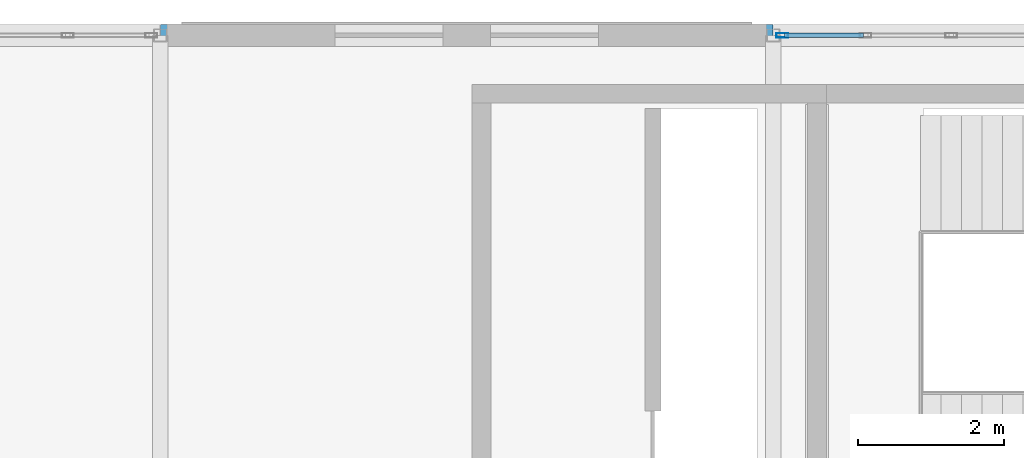
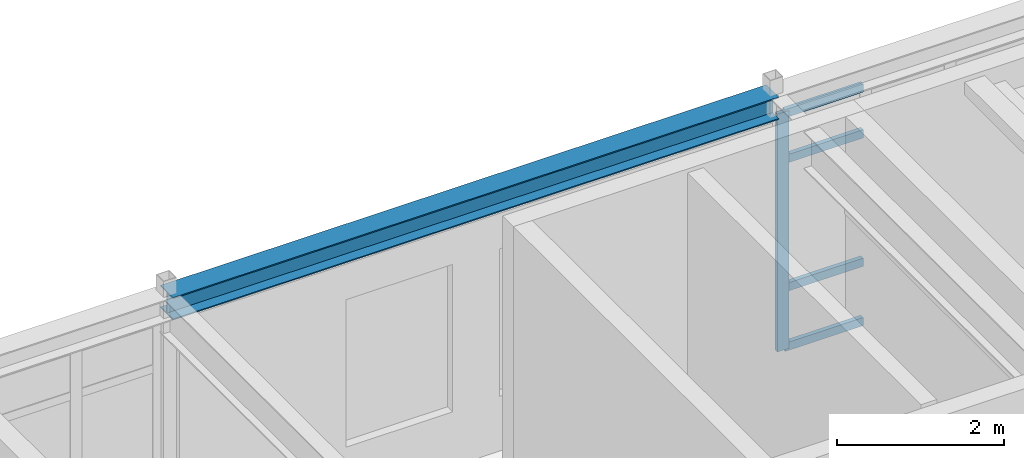
# One storey, part 22 of 65: 5 members, 1 beam, 1 element without a shape of its own.
"""IFC4 building model written with IfcOpenShell, lengths in metres."""

import ifcopenshell
import ifcopenshell.guid

model = None  # the IFC model being written
_history = None  # IfcOwnerHistory: only IFC2X3 demands one
_inside = {}  # id of a spatial element -> (the spatial element, [elements in it])
_under = {}  # id of a project, library or spatial element -> (it, [spatial elements below it])
_declared = {}  # id of a project -> (the project, [libraries it declares])
_typed = {}  # id of a type object -> (the type object, [elements of that type])
_made_of = {}  # id of a material, layer set ... -> (it, [elements and type objects made of it])


def new_model(schema):
    """Start an empty IFC model of exactly this schema.

    Asked for "IFC4X3", IfcOpenShell would pick the latest addendum, in which some entities
    have other attributes; the version numbers below select the first issue.
    IFC2X3 requires an IfcOwnerHistory on every rooted entity: one is made here for all.
    """
    global model, _history
    if schema == "IFC4X3":
        model = ifcopenshell.file(schema_version=(4, 3, 0, 0))
    else:
        model = ifcopenshell.file(schema=schema)
    _inside.clear()
    _under.clear()
    _declared.clear()
    _typed.clear()
    _made_of.clear()
    _history = None
    if model.schema == "IFC2X3":
        org = make("IfcOrganization", Name="unknown")
        user = make(
            "IfcPersonAndOrganization",
            ThePerson=make("IfcPerson", FamilyName="unknown"),
            TheOrganization=org,
        )
        app = make(
            "IfcApplication",
            ApplicationDeveloper=org,
            Version="unknown",
            ApplicationFullName="unknown",
            ApplicationIdentifier="unknown",
        )
        _history = make(
            "IfcOwnerHistory",
            OwningUser=user,
            OwningApplication=app,
            ChangeAction="ADDED",
            CreationDate=0,
        )
    return model


def make(cls, **values):
    """One entity of the class cls with the attributes given. An attribute that is None is left unset."""
    return model.create_entity(
        cls, **{name: value for name, value in values.items() if value is not None}
    )


def rooted(cls, **values):
    """An entity with a GlobalId (a new one), such as an element, a storey or a relation."""
    return make(cls, GlobalId=ifcopenshell.guid.new(), OwnerHistory=_history, **values)


def si_unit(unit_type, name, prefix=None):
    """IfcSIUnit, for example si_unit("LENGTHUNIT", "METRE", prefix="MILLI")."""
    return make("IfcSIUnit", UnitType=unit_type, Prefix=prefix, Name=name)


def assignment(units):
    """IfcUnitAssignment: the units of a project."""
    return None if units is None else make("IfcUnitAssignment", Units=units)


def point(xyz):
    """IfcCartesianPoint."""
    return None if xyz is None else make("IfcCartesianPoint", Coordinates=xyz)


def direction(xyz):
    """IfcDirection."""
    return None if xyz is None else make("IfcDirection", DirectionRatios=xyz)


def frame(location, z_axis=None, x_axis=None):
    """IfcAxis2Placement3D, a coordinate frame: its origin and axes. An axis left out is left unset."""
    return make(
        "IfcAxis2Placement3D",
        Location=point(location),
        Axis=direction(z_axis),
        RefDirection=direction(x_axis),
    )


def frame_2d(location, x_axis=None):
    """IfcAxis2Placement2D, a coordinate frame in the plane: its origin and x axis."""
    return make(
        "IfcAxis2Placement2D", Location=point(location), RefDirection=direction(x_axis)
    )


def origin():
    """The frame at (0, 0, 0) with its axes left unset."""
    return frame((0.0, 0.0, 0.0))


def origin_2d():
    """The frame at (0, 0) in the plane with its x axis left unset."""
    return frame_2d((0.0, 0.0))


def place(relative_to, where):
    """IfcLocalPlacement: puts the frame where relative to a parent placement (None: the world)."""
    return make(
        "IfcLocalPlacement", PlacementRelTo=relative_to, RelativePlacement=where
    )


def context(
    kind, dimensions, precision=None, world=None, true_north=None, identifier=None
):
    """IfcGeometricRepresentationContext, for example the 3D "Model" context."""
    return make(
        "IfcGeometricRepresentationContext",
        ContextIdentifier=identifier,
        ContextType=kind,
        CoordinateSpaceDimension=dimensions,
        Precision=precision,
        WorldCoordinateSystem=world,
        TrueNorth=true_north,
    )


def subcontext(parent, identifier, kind, view, scale=None):
    """IfcGeometricRepresentationSubContext, for example "Body" below "Model"."""
    return make(
        "IfcGeometricRepresentationSubContext",
        ContextIdentifier=identifier,
        ContextType=kind,
        ParentContext=parent,
        TargetScale=scale,
        TargetView=view,
    )


def project(units=None, contexts=None):
    """IfcProject with its units and contexts."""
    return rooted(
        "IfcProject",
        Name="project",
        RepresentationContexts=contexts,
        UnitsInContext=assignment(units),
    )


def spatial(cls, under=None, at=None, **own):
    """A site, building, storey or space (cls), placed at a placement, below another one or the project."""
    s = rooted(cls, ObjectPlacement=at, **own)
    if under is not None:
        _under.setdefault(under.id(), (under, []))[1].append(s)
    return s


def profile(cls, at=None, kind="AREA", **sizes):
    """A parametric profile (cls). Its sizes go by their IFC names, for example OverallWidth=200.0."""
    return make(cls, ProfileType=kind, Position=at, **sizes)


def hollow_rectangle(**sizes):
    """IfcRectangleHollowProfileDef."""
    return profile("IfcRectangleHollowProfileDef", **sizes)


def i_section(**sizes):
    """IfcIShapeProfileDef."""
    return profile("IfcIShapeProfileDef", **sizes)


def extrude(swept, where, along, depth):
    """IfcExtrudedAreaSolid: the profile swept, set in the frame where, extruded along a direction by depth."""
    return make(
        "IfcExtrudedAreaSolid",
        SweptArea=swept,
        Position=where,
        ExtrudedDirection=direction(along),
        Depth=depth,
    )


def shape(context_of_items, identifier, shape_type, items):
    """IfcShapeRepresentation: the items that make up one representation, for example the "Body"."""
    return make(
        "IfcShapeRepresentation",
        ContextOfItems=context_of_items,
        RepresentationIdentifier=identifier,
        RepresentationType=shape_type,
        Items=items,
    )


def material(Name=None, Category=None):
    """IfcMaterial."""
    return make("IfcMaterial", Name=Name, Category=Category)


def layer(
    of_material, thickness, ventilated=None, Name=None, Category=None, Priority=None
):
    """IfcMaterialLayer: one layer of a wall or slab, of a material (None: an air gap)."""
    return make(
        "IfcMaterialLayer",
        Material=of_material,
        LayerThickness=thickness,
        IsVentilated=ventilated,
        Name=Name,
        Category=Category,
        Priority=Priority,
    )


def layer_set(layers, Name=None):
    """IfcMaterialLayerSet."""
    return make("IfcMaterialLayerSet", MaterialLayers=layers, LayerSetName=Name)


def material_profile(
    of_material, cross_section, Name=None, Category=None, Priority=None
):
    """IfcMaterialProfile: a cross section and its material."""
    return make(
        "IfcMaterialProfile",
        Name=Name,
        Material=of_material,
        Profile=cross_section,
        Priority=Priority,
        Category=Category,
    )


def profile_set(profiles, Name=None, composite=None):
    """IfcMaterialProfileSet."""
    return make(
        "IfcMaterialProfileSet",
        Name=Name,
        MaterialProfiles=profiles,
        CompositeProfile=composite,
    )


def made_of(thing, what):
    """Note that an element or type object is made of a material, layer set ...; save() writes the relation."""
    if what is not None:
        _made_of.setdefault(what.id(), (what, []))[1].append(thing)
    return thing


def type_object(cls, material=None, **own):
    """A type object (cls), such as IfcWallType, which elements share."""
    return made_of(rooted(cls, **own), material)


def element(
    cls,
    number,
    at=None,
    inside=None,
    cuts=None,
    type_object=None,
    material=None,
    context=None,
    identifier="Body",
    shape_type=None,
    held_by="IfcProductDefinitionShape",
    body=None,
    shapes=None,
    **own,
):
    """One element of the class cls, such as IfcWall. Its Tag is "e" and its number.

    at: its placement. inside: the storey or other place that contains it. cuts: it is an
    opening in that element (IfcRelVoidsElement). A single representation is given by context,
    identifier, shape_type and body (its items); several are given by shapes. held_by: the class
    of the entity that holds the representations. save() writes the other relations.
    """
    e = rooted(cls, Tag="e%d" % number, ObjectPlacement=at, **own)
    if body is not None:
        shapes = [shape(context, identifier, shape_type, body)]
    if shapes is not None:
        e.Representation = make(held_by, Representations=shapes)
    if inside is not None:
        _inside.setdefault(inside.id(), (inside, []))[1].append(e)
    if cuts is not None:
        rooted(
            "IfcRelVoidsElement", RelatingBuildingElement=cuts, RelatedOpeningElement=e
        )
    if type_object is not None:
        _typed.setdefault(type_object.id(), (type_object, []))[1].append(e)
    return made_of(e, material)


def aggregate(whole, parts):
    """IfcRelAggregates: a whole, such as a stair, and the parts it consists of."""
    return rooted("IfcRelAggregates", RelatingObject=whole, RelatedObjects=parts)


def save(model, path):
    """Write the relations noted so far, then the file.

    IfcRelAggregates (storeys below a building ...), IfcRelContainedInSpatialStructure (elements
    in a storey), IfcRelDefinesByType, IfcRelAssociatesMaterial and IfcRelDeclares: one each for
    every whole, place, type object, material and project.
    """
    for whole, parts in _under.values():
        aggregate(whole, parts)
    for where, things in _inside.values():
        rooted(
            "IfcRelContainedInSpatialStructure",
            RelatedElements=things,
            RelatingStructure=where,
        )
    for kind, things in _typed.values():
        rooted("IfcRelDefinesByType", RelatedObjects=things, RelatingType=kind)
    for what, things in _made_of.values():
        rooted("IfcRelAssociatesMaterial", RelatedObjects=things, RelatingMaterial=what)
    for by, libraries in _declared.values():
        rooted("IfcRelDeclares", RelatingContext=by, RelatedDefinitions=libraries)
    model.write(path)


model = new_model("IFC4")

# Units and contexts
model_context = context("Model", 3, precision=1e-05, world=origin(), true_north=direction((0.0, 1.0)))
body_context = subcontext(model_context, "Body", "Model", "MODEL_VIEW")
ifc_project = project(units=[si_unit("LENGTHUNIT", "METRE"), si_unit("AREAUNIT", "SQUARE_METRE"), si_unit("VOLUMEUNIT", "CUBIC_METRE"), si_unit("PLANEANGLEUNIT", "RADIAN"), si_unit("MASSUNIT", "GRAM", prefix="KILO")], contexts=[model_context])

# Site, building, storey
site_placement = place(None, origin())
site = spatial("IfcSite", under=ifc_project, at=site_placement, CompositionType="ELEMENT")
building_placement = place(site_placement, origin())
building = spatial("IfcBuilding", under=site, at=building_placement, Name="Montecoro Central Library", CompositionType="ELEMENT")
storey_placement = place(building_placement, frame((0.0, 0.0, 17.340087890625)))
storey = spatial("IfcBuildingStorey", under=building, at=storey_placement, Name="L04", CompositionType="ELEMENT", Elevation=17.340087890625)

# Beam
ifc_material_1 = material(Name="Steel S355", Category="steel")
ifc_material_profile_1 = material_profile(ifc_material_1, i_section(OverallWidth=0.300048828125, OverallDepth=0.330078125, WebThickness=0.009521484375, FlangeThickness=0.0166015625, at=origin_2d()), Name="HEA 340")
ifc_profile_set_1 = profile_set([ifc_material_profile_1], Name="Steel S355")
beam_type = type_object("IfcBeamType", Name="BM-SP-HEA340", PredefinedType="SPANDREL", material=ifc_profile_set_1)
beam_placement = place(storey_placement, frame((91.60498046875, 119.0, 3.659912109375), z_axis=(1.0, 0.0, 0.0), x_axis=(0.0, 1.0, 0.0)))
element("IfcBeam", 1, at=beam_placement, inside=storey, type_object=beam_type, Name="V2-L04-BX-1213-R", PredefinedType="SPANDREL", context=body_context, shape_type="SweptSolid", body=[
    extrude(i_section(OverallWidth=0.300048828125, OverallDepth=0.330078125, WebThickness=0.009521484375, FlangeThickness=0.0166015625, at=origin_2d()), origin(), (0.0, 0.0, 1.0), 8.39013671875),
])

# Curtain wall, members
ifc_material_2 = material(Name="Bronze-anodised aluminium and low-E glazing", Category="aluminium")
ifc_layer = layer(ifc_material_2, 0.159912109375)
ifc_layer_set = layer_set([ifc_layer], Name="Bronze-anodised aluminium and low-E glazing")
curtain_wall_type = type_object("IfcCurtainWallType", Name="CWT-022", PredefinedType="NOTDEFINED", material=ifc_layer_set)
curtain_wall_placement = place(storey_placement, origin())
curtain_wall = element("IfcCurtainWall", 2, at=curtain_wall_placement, inside=storey, type_object=curtain_wall_type, Name="V2-L04-CW-N4", PredefinedType="NOTDEFINED")
ifc_material_3 = material(Name="Bronze-anodised aluminium", Category="aluminium")
ifc_material_profile_2 = material_profile(ifc_material_3, hollow_rectangle(XDim=0.06005859375, YDim=0.159912109375, WallThickness=0.00390625, at=origin_2d()), Name="CWM 160x60x4.0")
ifc_profile_set_2 = profile_set([ifc_material_profile_2], Name="Bronze-anodised aluminium")
member_type_1 = type_object("IfcMemberType", Name="CWM-BRZ-60", PredefinedType="MULLION", material=ifc_profile_set_2)
member_1_placement = place(storey_placement, frame((100.123046875, 119.0, 0.0), z_axis=(0.0, 0.0, 1.0), x_axis=(0.0, -1.0, 0.0)))
member_1 = element("IfcMember", 3, at=member_1_placement, type_object=member_type_1, Name="CW-022 mullion 8", PredefinedType="MULLION", context=body_context, shape_type="SweptSolid", body=[
    extrude(hollow_rectangle(XDim=0.06005859375, YDim=0.159912109375, WallThickness=0.00390625, at=origin_2d()), origin(), (0.0, 0.0, 1.0), 3.47998046875),
])
ifc_material_profile_3 = material_profile(ifc_material_3, hollow_rectangle(XDim=0.06005859375, YDim=0.1201171875, WallThickness=0.00390625, at=origin_2d()), Name="CWT 120x60x4.0")
ifc_profile_set_3 = profile_set([ifc_material_profile_3], Name="Bronze-anodised aluminium")
member_type_2 = type_object("IfcMemberType", Name="CWT-BRZ-60", PredefinedType="USERDEFINED", material=ifc_profile_set_3)
member_2_placement = place(storey_placement, frame((101.236328125, 119.0, 0.030029296875), z_axis=(-1.0, 0.0, 0.0), x_axis=(0.0, -1.0, 0.0)))
member_2 = element("IfcMember", 4, at=member_2_placement, type_object=member_type_2, Name="CW-022 transom 7.1", ObjectType="TRANSOM", PredefinedType="USERDEFINED", context=body_context, shape_type="SweptSolid", body=[
    extrude(hollow_rectangle(XDim=0.06005859375, YDim=0.1201171875, WallThickness=0.00390625, at=origin_2d()), origin(), (0.0, 0.0, 1.0), 1.083251953125),
])
member_3_placement = place(storey_placement, frame((101.236328125, 119.0, 0.89990234375), z_axis=(-1.0, 0.0, 0.0), x_axis=(0.0, -1.0, 0.0)))
member_3 = element("IfcMember", 5, at=member_3_placement, type_object=member_type_2, Name="CW-022 transom 7.2", ObjectType="TRANSOM", PredefinedType="USERDEFINED", context=body_context, shape_type="SweptSolid", body=[
    extrude(hollow_rectangle(XDim=0.06005859375, YDim=0.1201171875, WallThickness=0.00390625, at=origin_2d()), origin(), (0.0, 0.0, 1.0), 1.083251953125),
])
member_4_placement = place(storey_placement, frame((101.236328125, 119.0, 2.780029296875), z_axis=(-1.0, 0.0, 0.0), x_axis=(0.0, -1.0, 0.0)))
member_4 = element("IfcMember", 6, at=member_4_placement, type_object=member_type_2, Name="CW-022 transom 7.3", ObjectType="TRANSOM", PredefinedType="USERDEFINED", context=body_context, shape_type="SweptSolid", body=[
    extrude(hollow_rectangle(XDim=0.06005859375, YDim=0.1201171875, WallThickness=0.00390625, at=origin_2d()), origin(), (0.0, 0.0, 1.0), 1.083251953125),
])
member_5_placement = place(storey_placement, frame((101.236328125, 119.0, 3.449951171875), z_axis=(-1.0, 0.0, 0.0), x_axis=(0.0, -1.0, 0.0)))
member_5 = element("IfcMember", 7, at=member_5_placement, type_object=member_type_2, Name="CW-022 transom 7.4", ObjectType="TRANSOM", PredefinedType="USERDEFINED", context=body_context, shape_type="SweptSolid", body=[
    extrude(hollow_rectangle(XDim=0.06005859375, YDim=0.1201171875, WallThickness=0.00390625, at=origin_2d()), origin(), (0.0, 0.0, 1.0), 1.083251953125),
])
aggregate(curtain_wall, [member_1, member_2, member_3, member_4, member_5])

save(model, "model.ifc")
